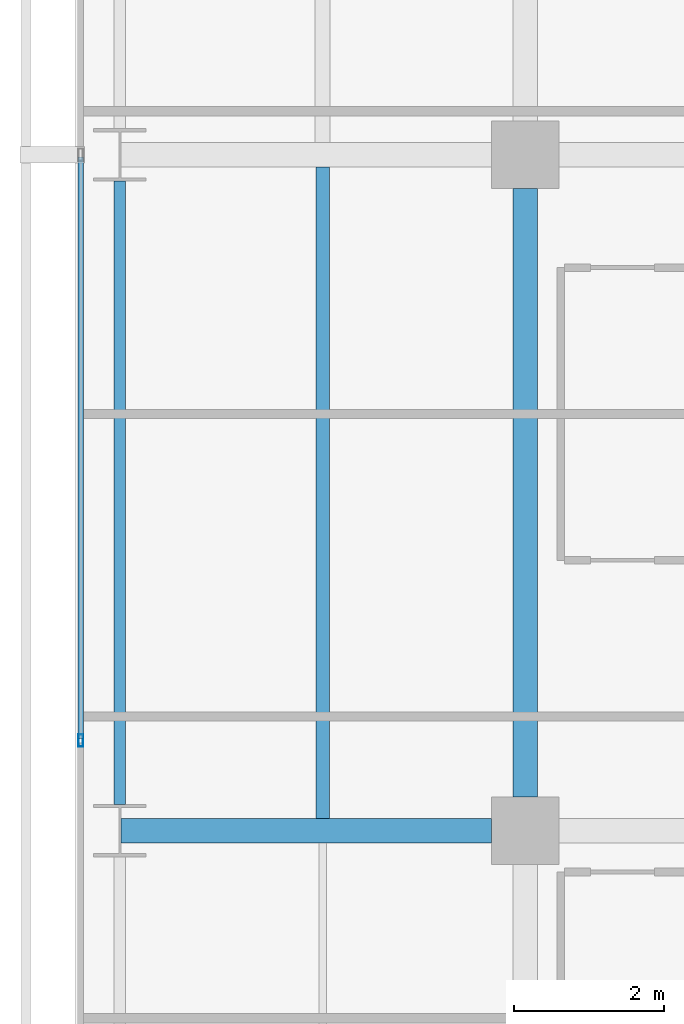
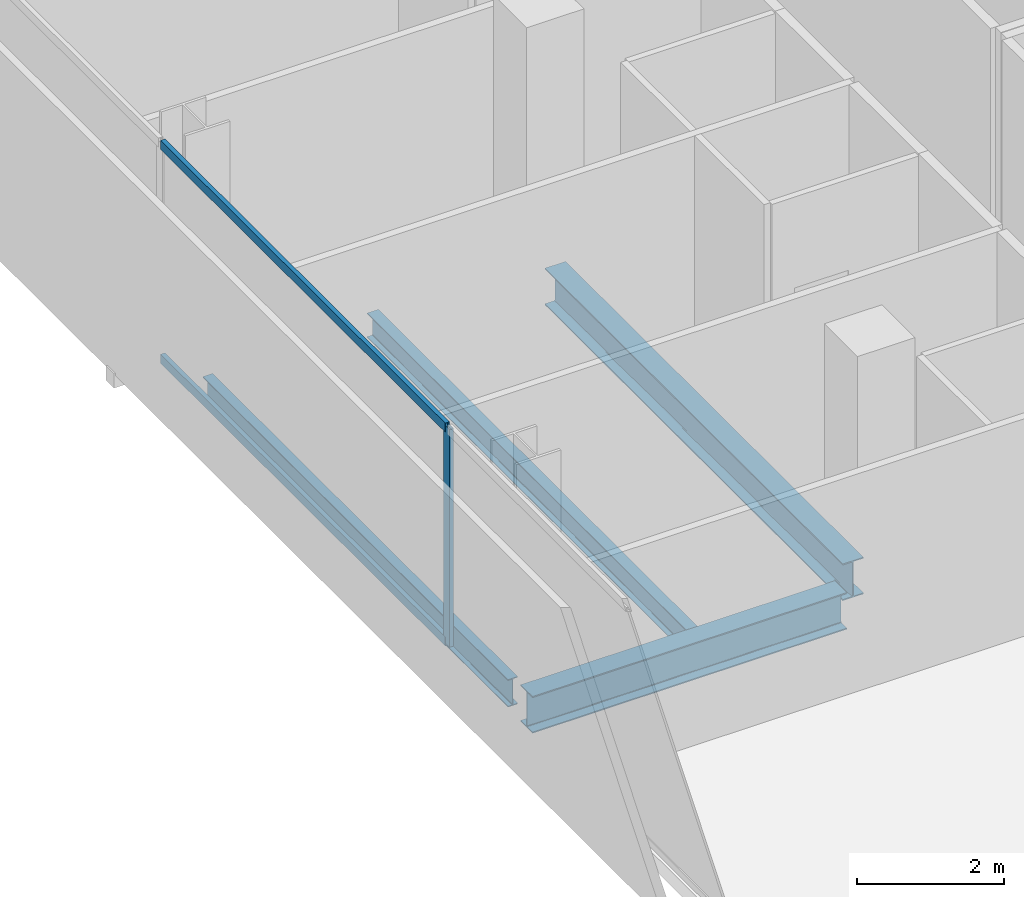
# One storey, part 10 of 40: 4 beams, 3 members, 1 element without a shape of its own.
"""IFC4 building model written with IfcOpenShell, lengths in metres."""

from ifc_helpers import new_model, si_unit, direction, frame, origin, origin_2d, place, context, subcontext, project, spatial, hollow_rectangle, i_section, extrude, material, layer, layer_set, material_profile, profile_set, type_object, element, aggregate, save


model = new_model("IFC4")

# Units and contexts
model_context = context("Model", 3, precision=1e-05, world=origin(), true_north=direction((0.0, 1.0)))
body_context = subcontext(model_context, "Body", "Model", "MODEL_VIEW")
ifc_project = project(units=[si_unit("LENGTHUNIT", "METRE"), si_unit("AREAUNIT", "SQUARE_METRE"), si_unit("VOLUMEUNIT", "CUBIC_METRE"), si_unit("PLANEANGLEUNIT", "RADIAN"), si_unit("MASSUNIT", "GRAM", prefix="KILO")], contexts=[model_context])

# Site, building, storey
site_placement = place(None, origin())
site = spatial("IfcSite", under=ifc_project, at=site_placement, CompositionType="ELEMENT")
building_placement = place(site_placement, origin())
building = spatial("IfcBuilding", under=site, at=building_placement, Name="Maruvema Waterfront Hotel and Observation Tower", CompositionType="ELEMENT")
storey_placement = place(building_placement, frame((0.0, 0.0, 77.0)))
storey = spatial("IfcBuildingStorey", under=building, at=storey_placement, Name="L18", CompositionType="ELEMENT", Elevation=77.0)

# Curtain wall, members
ifc_material_1 = material(Name="Anodised bronze aluminium and solar-control low-E IGU", Category="aluminium")
ifc_layer = layer(ifc_material_1, 0.159912109375, Name="Zone 1 Bronze Inner Thermal Curtain Wall System CW-02")
ifc_layer_set = layer_set([ifc_layer], Name="Anodised bronze aluminium and solar-control low-E IGU")
curtain_wall_type = type_object("IfcCurtainWallType", Name="Zone 1 Bronze Inner Thermal Curtain Wall System CW-02", PredefinedType="USERDEFINED", material=ifc_layer_set)
curtain_wall_placement = place(storey_placement, origin())
curtain_wall = element("IfcCurtainWall", 1, at=curtain_wall_placement, inside=storey, type_object=curtain_wall_type, Name="L18 Curtain Wall CW-L18-W", ObjectType="UNITISED CURTAIN WALL", PredefinedType="USERDEFINED")
ifc_material_2 = material(Name="Anodised architectural bronze aluminium", Category="aluminium")
ifc_material_profile_1 = material_profile(ifc_material_2, hollow_rectangle(XDim=0.070068359375, YDim=0.14990234375, WallThickness=0.00390625, at=origin_2d()), Name="ALU-T70x150")
ifc_profile_set_1 = profile_set([ifc_material_profile_1], Name="Anodised architectural bronze aluminium")
member_type_1 = type_object("IfcMemberType", Name="Curtain Wall Horizontal Transom ALU-T70x150", PredefinedType="USERDEFINED", material=ifc_profile_set_1)
member_1_placement = place(storey_placement, frame((10.8798828125, 26.969970703125, 0.030029296875), z_axis=(0.0, -1.0, 0.0), x_axis=(1.0, 0.0, 0.0)))
member_1 = element("IfcMember", 2, at=member_1_placement, type_object=member_type_1, Name="CW-02 transom 4.1", ObjectType="TRANSOM", PredefinedType="USERDEFINED", context=body_context, shape_type="SweptSolid", body=[
    extrude(hollow_rectangle(XDim=0.070068359375, YDim=0.14990234375, WallThickness=0.00390625, at=origin_2d()), origin(), (0.0, 0.0, 1.0), 7.739990234375),
])
member_2_placement = place(storey_placement, frame((10.8798828125, 26.969970703125, 3.580078125), z_axis=(0.0, -1.0, 0.0), x_axis=(1.0, 0.0, 0.0)))
member_2 = element("IfcMember", 3, at=member_2_placement, type_object=member_type_1, Name="CW-02 transom 4.2", ObjectType="TRANSOM", PredefinedType="USERDEFINED", context=body_context, shape_type="SweptSolid", body=[
    extrude(hollow_rectangle(XDim=0.070068359375, YDim=0.14990234375, WallThickness=0.00390625, at=origin_2d()), origin(), (0.0, 0.0, 1.0), 7.739990234375),
])
ifc_material_3 = material(Name="Anodised architectural bronze aluminium", Category="aluminium")
ifc_material_profile_2 = material_profile(ifc_material_3, hollow_rectangle(XDim=0.06494140625, YDim=0.1650390625, WallThickness=0.00390625, at=origin_2d()), Name="ALU-M65x165")
ifc_profile_set_2 = profile_set([ifc_material_profile_2], Name="Anodised architectural bronze aluminium")
member_type_2 = type_object("IfcMemberType", Name="Curtain Wall Primary Mullion ALU-M65x165", PredefinedType="MULLION", material=ifc_profile_set_2)
member_3_placement = place(storey_placement, frame((10.8798828125, 19.199951171875, 0.0), z_axis=(0.0, 0.0, 1.0), x_axis=(1.0, 0.0, 0.0)))
member_3 = element("IfcMember", 4, at=member_3_placement, type_object=member_type_2, Name="CW-02 mullion 5", PredefinedType="MULLION", context=body_context, shape_type="SweptSolid", body=[
    extrude(hollow_rectangle(XDim=0.06494140625, YDim=0.1650390625, WallThickness=0.00390625, at=origin_2d()), origin(), (0.0, 0.0, 1.0), 3.610107421875),
])
aggregate(curtain_wall, [member_3, member_1, member_2])

# Beams
ifc_material_4 = material(Name="Steel ASTM A572 Grade 50", Category="steel")
ifc_material_profile_3 = material_profile(ifc_material_4, i_section(OverallWidth=0.153076171875, OverallDepth=0.455078125, WebThickness=0.008056640625, FlangeThickness=0.01318359375, FilletRadius=0.014892578125, at=origin_2d()), Name="W460x60.0")
ifc_profile_set_3 = profile_set([ifc_material_profile_3], Name="Steel ASTM A572 Grade 50")
beam_type_1 = type_object("IfcBeamType", Name="Perimeter Spandrel Beam W460x60.0", PredefinedType="SPANDREL", material=ifc_profile_set_3)
beam_1_placement = place(storey_placement, frame((11.39990234375, 18.35009765625, -0.467529296875), z_axis=(0.0, 1.0, 0.0), x_axis=(-1.0, 0.0, 0.0)))
element("IfcBeam", 5, at=beam_1_placement, inside=storey, type_object=beam_type_1, Name="L18 Floor Girder NS-02", PredefinedType="SPANDREL", context=body_context, shape_type="SweptSolid", body=[
    extrude(i_section(OverallWidth=0.153076171875, OverallDepth=0.455078125, WebThickness=0.008056640625, FlangeThickness=0.01318359375, FilletRadius=0.014892578125, at=origin_2d()), origin(), (0.0, 0.0, 1.0), 8.2998046875),
])
ifc_material_5 = material(Name="Steel ASTM A572 Grade 50", Category="steel")
ifc_material_profile_4 = material_profile(ifc_material_5, i_section(OverallWidth=0.323974609375, OverallDepth=0.611083984375, WebThickness=0.0126953125, FlangeThickness=0.01904296875, FilletRadius=0.01806640625, at=origin_2d()), Name="W610x155.0")
ifc_profile_set_4 = profile_set([ifc_material_profile_4], Name="Steel ASTM A572 Grade 50")
beam_type_2 = type_object("IfcBeamType", Name="Primary Floor Girder W610x155.0", PredefinedType="BEAM", material=ifc_profile_set_4)
beam_2_placement = place(storey_placement, frame((11.4140625, 18.0, -0.54541015625), z_axis=(1.0, 0.0, 0.0), x_axis=(0.0, 1.0, 0.0)))
element("IfcBeam", 6, at=beam_2_placement, inside=storey, type_object=beam_type_2, Name="L18 Floor Girder EW-13", PredefinedType="BEAM", context=body_context, shape_type="SweptSolid", body=[
    extrude(i_section(OverallWidth=0.323974609375, OverallDepth=0.611083984375, WebThickness=0.0126953125, FlangeThickness=0.01904296875, FilletRadius=0.01806640625, at=origin_2d()), origin(), (0.0, 0.0, 1.0), 4.93603515625),
])
beam_3_placement = place(storey_placement, frame((16.800048828125, 18.449951171875, -0.54541015625), z_axis=(0.0, 1.0, 0.0), x_axis=(-1.0, 0.0, 0.0)))
element("IfcBeam", 7, at=beam_3_placement, inside=storey, type_object=beam_type_2, Name="L18 Floor Girder NS-07", PredefinedType="BEAM", context=body_context, shape_type="SweptSolid", body=[
    extrude(i_section(OverallWidth=0.323974609375, OverallDepth=0.611083984375, WebThickness=0.0126953125, FlangeThickness=0.01904296875, FilletRadius=0.01806640625, at=origin_2d()), origin(), (0.0, 0.0, 1.0), 8.10009765625),
])
ifc_material_6 = material(Name="Steel ASTM A572 Grade 50", Category="steel")
ifc_material_profile_5 = material_profile(ifc_material_6, i_section(OverallWidth=0.177001953125, OverallDepth=0.403076171875, WebThickness=0.007568359375, FlangeThickness=0.010986328125, FilletRadius=0.014892578125, at=origin_2d()), Name="W410x53.0")
ifc_profile_set_5 = profile_set([ifc_material_profile_5], Name="Steel ASTM A572 Grade 50")
beam_type_3 = type_object("IfcBeamType", Name="Secondary Floor Joist W410x53.0", PredefinedType="JOIST", material=ifc_profile_set_5)
beam_4_placement = place(storey_placement, frame((14.10009765625, 18.162109375, -0.44140625), z_axis=(0.0, 1.0, 0.0), x_axis=(-1.0, 0.0, 0.0)))
element("IfcBeam", 8, at=beam_4_placement, inside=storey, type_object=beam_type_3, Name="L18 Secondary Floor Joist JS-02", PredefinedType="JOIST", context=body_context, shape_type="SweptSolid", body=[
    extrude(i_section(OverallWidth=0.177001953125, OverallDepth=0.403076171875, WebThickness=0.007568359375, FlangeThickness=0.010986328125, FilletRadius=0.014892578125, at=origin_2d()), origin(), (0.0, 0.0, 1.0), 8.67578125),
])

save(model, "model.ifc")
